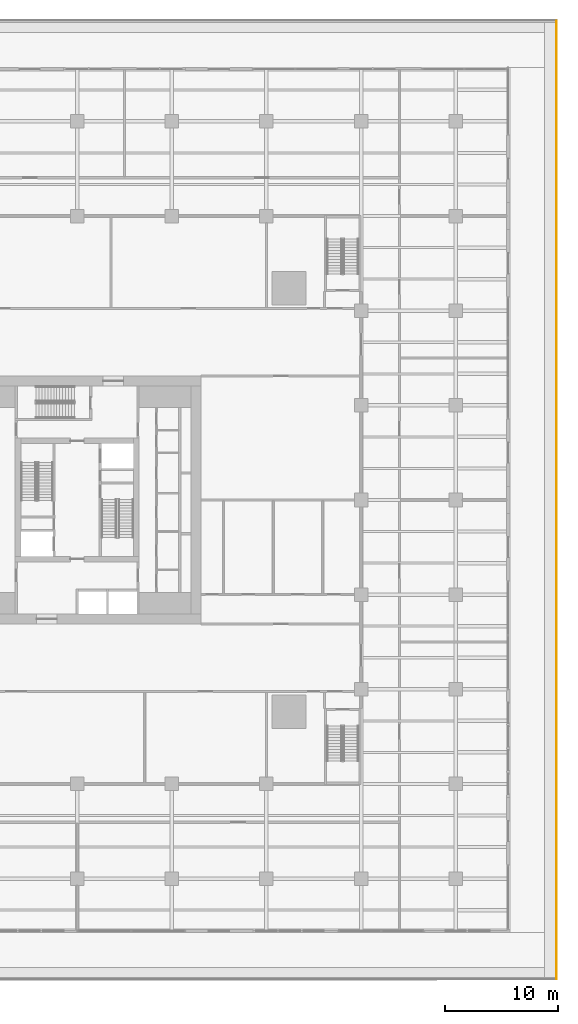
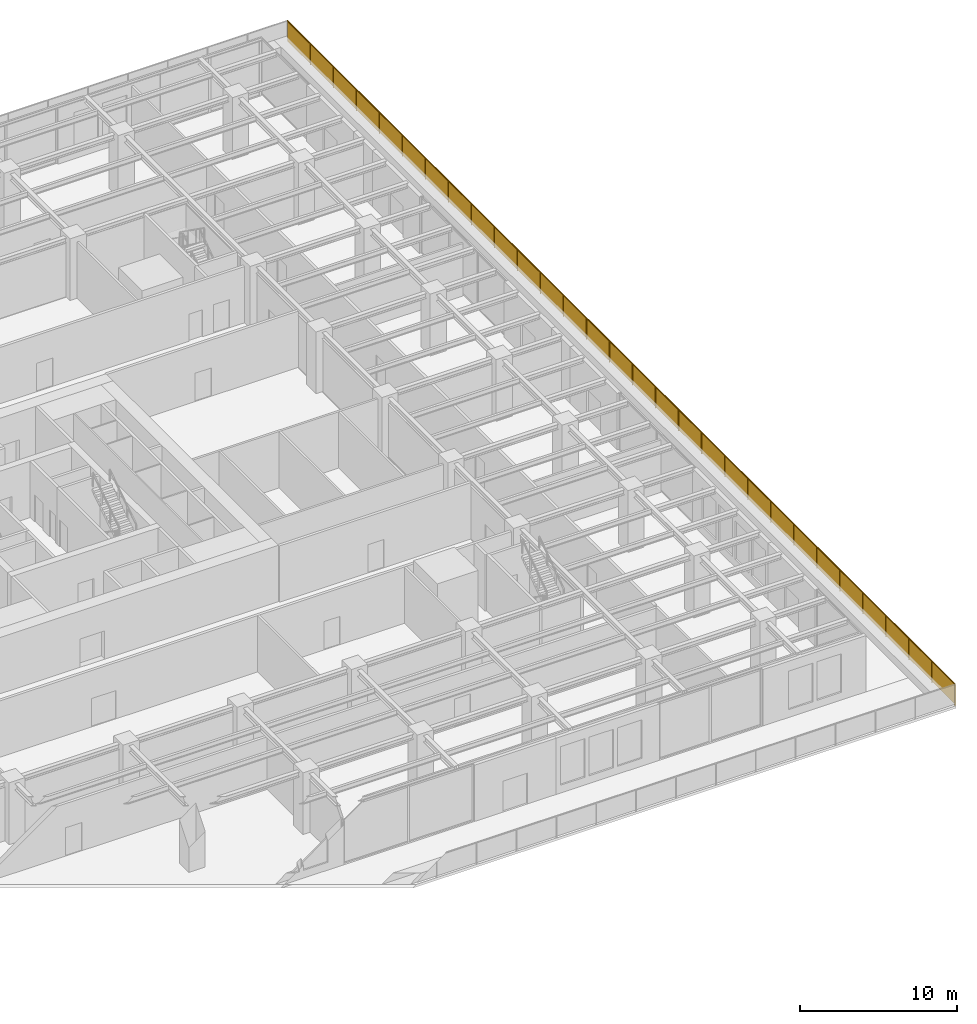
# One storey, part 28 of 32: 1 railing.
"""IFC4 building model written with IfcOpenShell, lengths in metres."""

from ifc_helpers import new_model, si_unit, direction, frame, origin, origin_2d, place, context, subcontext, project, spatial, rectangle, extrude, material, type_object, element, save


model = new_model("IFC4")

# Units and contexts
model_context = context("Model", 3, precision=1e-05, world=origin(), true_north=direction((0.0, 1.0)))
body_context = subcontext(model_context, "Body", "Model", "MODEL_VIEW")
ifc_project = project(units=[si_unit("LENGTHUNIT", "METRE"), si_unit("AREAUNIT", "SQUARE_METRE"), si_unit("VOLUMEUNIT", "CUBIC_METRE"), si_unit("PLANEANGLEUNIT", "RADIAN"), si_unit("MASSUNIT", "GRAM", prefix="KILO")], contexts=[model_context])

# Site, building, storey
site_placement = place(None, origin())
site = spatial("IfcSite", under=ifc_project, at=site_placement, CompositionType="ELEMENT")
building_placement = place(site_placement, origin())
building = spatial("IfcBuilding", under=site, at=building_placement, Name="Khepri Terraces", CompositionType="ELEMENT")
storey_placement = place(building_placement, frame((0.0, 0.0, 12.0)))
storey = spatial("IfcBuildingStorey", under=building, at=storey_placement, Name="L02", CompositionType="ELEMENT", Elevation=12.0)

# Railing
ifc_material = material(Name="Stainless steel grade 316", Category="steel")
railing_type = type_object("IfcRailingType", Name="GRD-TERR-1700", PredefinedType="GUARDRAIL", material=ifc_material)
railing_placement = place(storey_placement, frame((42.550048828125, 42.550048828125, 0.0)))
element("IfcRailing", 1, at=railing_placement, inside=storey, type_object=railing_type, Name="Terrace guard L02", PredefinedType="GUARDRAIL", context=body_context, shape_type="SweptSolid", body=[
    extrude(rectangle(XDim=0.050048828125, YDim=0.06005859375, at=origin_2d()), frame((0.0, 0.0, 1.669921875), z_axis=(0.0, -1.0, 0.0), x_axis=(1.0, 0.0, 0.0)), (0.0, 0.0, 1.0), 85.10009765625),
    extrude(rectangle(XDim=2.884521484375, YDim=0.011962890625, at=origin_2d()), frame((0.0, -1.46728515625, 0.10009765625), z_axis=(0.0, 0.0, 1.0), x_axis=(0.0, -1.0, 0.0)), (0.0, 0.0, 1.0), 1.539794921875),
    extrude(rectangle(XDim=2.884521484375, YDim=0.011962890625, at=origin_2d()), frame((0.0, -4.401611328125, 0.10009765625), z_axis=(0.0, 0.0, 1.0), x_axis=(0.0, -1.0, 0.0)), (0.0, 0.0, 1.0), 1.539794921875),
    extrude(rectangle(XDim=2.884521484375, YDim=0.011962890625, at=origin_2d()), frame((0.0, -7.336181640625, 0.10009765625), z_axis=(0.0, 0.0, 1.0), x_axis=(0.0, -1.0, 0.0)), (0.0, 0.0, 1.0), 1.539794921875),
    extrude(rectangle(XDim=2.884521484375, YDim=0.011962890625, at=origin_2d()), frame((0.0, -10.270751953125, 0.10009765625), z_axis=(0.0, 0.0, 1.0), x_axis=(0.0, -1.0, 0.0)), (0.0, 0.0, 1.0), 1.539794921875),
    extrude(rectangle(XDim=2.884521484375, YDim=0.011962890625, at=origin_2d()), frame((0.0, -13.205078125, 0.10009765625), z_axis=(0.0, 0.0, 1.0), x_axis=(0.0, -1.0, 0.0)), (0.0, 0.0, 1.0), 1.539794921875),
    extrude(rectangle(XDim=2.884521484375, YDim=0.011962890625, at=origin_2d()), frame((0.0, -16.1396484375, 0.10009765625), z_axis=(0.0, 0.0, 1.0), x_axis=(0.0, -1.0, 0.0)), (0.0, 0.0, 1.0), 1.539794921875),
    extrude(rectangle(XDim=2.884521484375, YDim=0.011962890625, at=origin_2d()), frame((0.0, -19.07421875, 0.10009765625), z_axis=(0.0, 0.0, 1.0), x_axis=(0.0, -1.0, 0.0)), (0.0, 0.0, 1.0), 1.539794921875),
    extrude(rectangle(XDim=2.884521484375, YDim=0.011962890625, at=origin_2d()), frame((0.0, -22.008544921875, 0.10009765625), z_axis=(0.0, 0.0, 1.0), x_axis=(0.0, -1.0, 0.0)), (0.0, 0.0, 1.0), 1.539794921875),
    extrude(rectangle(XDim=2.884521484375, YDim=0.011962890625, at=origin_2d()), frame((0.0, -24.943115234375, 0.10009765625), z_axis=(0.0, 0.0, 1.0), x_axis=(0.0, -1.0, 0.0)), (0.0, 0.0, 1.0), 1.539794921875),
    extrude(rectangle(XDim=2.884521484375, YDim=0.011962890625, at=origin_2d()), frame((0.0, -27.877685546875, 0.10009765625), z_axis=(0.0, 0.0, 1.0), x_axis=(0.0, -1.0, 0.0)), (0.0, 0.0, 1.0), 1.539794921875),
    extrude(rectangle(XDim=2.884521484375, YDim=0.011962890625, at=origin_2d()), frame((0.0, -30.81201171875, 0.10009765625), z_axis=(0.0, 0.0, 1.0), x_axis=(0.0, -1.0, 0.0)), (0.0, 0.0, 1.0), 1.539794921875),
    extrude(rectangle(XDim=2.884521484375, YDim=0.011962890625, at=origin_2d()), frame((0.0, -33.74658203125, 0.10009765625), z_axis=(0.0, 0.0, 1.0), x_axis=(0.0, -1.0, 0.0)), (0.0, 0.0, 1.0), 1.539794921875),
    extrude(rectangle(XDim=2.884521484375, YDim=0.011962890625, at=origin_2d()), frame((0.0, -36.68115234375, 0.10009765625), z_axis=(0.0, 0.0, 1.0), x_axis=(0.0, -1.0, 0.0)), (0.0, 0.0, 1.0), 1.539794921875),
    extrude(rectangle(XDim=2.884521484375, YDim=0.011962890625, at=origin_2d()), frame((0.0, -39.615478515625, 0.10009765625), z_axis=(0.0, 0.0, 1.0), x_axis=(0.0, -1.0, 0.0)), (0.0, 0.0, 1.0), 1.539794921875),
    extrude(rectangle(XDim=2.884521484375, YDim=0.011962890625, at=origin_2d()), frame((0.0, -42.550048828125, 0.10009765625), z_axis=(0.0, 0.0, 1.0), x_axis=(0.0, -1.0, 0.0)), (0.0, 0.0, 1.0), 1.539794921875),
    extrude(rectangle(XDim=2.884521484375, YDim=0.011962890625, at=origin_2d()), frame((0.0, -45.484619140625, 0.10009765625), z_axis=(0.0, 0.0, 1.0), x_axis=(0.0, -1.0, 0.0)), (0.0, 0.0, 1.0), 1.539794921875),
    extrude(rectangle(XDim=2.884521484375, YDim=0.011962890625, at=origin_2d()), frame((0.0, -48.4189453125, 0.10009765625), z_axis=(0.0, 0.0, 1.0), x_axis=(0.0, -1.0, 0.0)), (0.0, 0.0, 1.0), 1.539794921875),
    extrude(rectangle(XDim=2.884521484375, YDim=0.011962890625, at=origin_2d()), frame((0.0, -51.353515625, 0.10009765625), z_axis=(0.0, 0.0, 1.0), x_axis=(0.0, -1.0, 0.0)), (0.0, 0.0, 1.0), 1.539794921875),
    extrude(rectangle(XDim=2.884521484375, YDim=0.011962890625, at=origin_2d()), frame((0.0, -54.2880859375, 0.10009765625), z_axis=(0.0, 0.0, 1.0), x_axis=(0.0, -1.0, 0.0)), (0.0, 0.0, 1.0), 1.539794921875),
    extrude(rectangle(XDim=2.884521484375, YDim=0.011962890625, at=origin_2d()), frame((0.0, -57.222412109375, 0.10009765625), z_axis=(0.0, 0.0, 1.0), x_axis=(0.0, -1.0, 0.0)), (0.0, 0.0, 1.0), 1.539794921875),
    extrude(rectangle(XDim=2.884521484375, YDim=0.011962890625, at=origin_2d()), frame((0.0, -60.156982421875, 0.10009765625), z_axis=(0.0, 0.0, 1.0), x_axis=(0.0, -1.0, 0.0)), (0.0, 0.0, 1.0), 1.539794921875),
    extrude(rectangle(XDim=2.884521484375, YDim=0.011962890625, at=origin_2d()), frame((0.0, -63.091552734375, 0.10009765625), z_axis=(0.0, 0.0, 1.0), x_axis=(0.0, -1.0, 0.0)), (0.0, 0.0, 1.0), 1.539794921875),
    extrude(rectangle(XDim=2.884521484375, YDim=0.011962890625, at=origin_2d()), frame((0.0, -66.02587890625, 0.10009765625), z_axis=(0.0, 0.0, 1.0), x_axis=(0.0, -1.0, 0.0)), (0.0, 0.0, 1.0), 1.539794921875),
    extrude(rectangle(XDim=2.884521484375, YDim=0.011962890625, at=origin_2d()), frame((0.0, -68.96044921875, 0.10009765625), z_axis=(0.0, 0.0, 1.0), x_axis=(0.0, -1.0, 0.0)), (0.0, 0.0, 1.0), 1.539794921875),
    extrude(rectangle(XDim=2.884521484375, YDim=0.011962890625, at=origin_2d()), frame((0.0, -71.89501953125, 0.10009765625), z_axis=(0.0, 0.0, 1.0), x_axis=(0.0, -1.0, 0.0)), (0.0, 0.0, 1.0), 1.539794921875),
    extrude(rectangle(XDim=2.884521484375, YDim=0.011962890625, at=origin_2d()), frame((0.0, -74.829345703125, 0.10009765625), z_axis=(0.0, 0.0, 1.0), x_axis=(0.0, -1.0, 0.0)), (0.0, 0.0, 1.0), 1.539794921875),
    extrude(rectangle(XDim=2.884521484375, YDim=0.011962890625, at=origin_2d()), frame((0.0, -77.763916015625, 0.10009765625), z_axis=(0.0, 0.0, 1.0), x_axis=(0.0, -1.0, 0.0)), (0.0, 0.0, 1.0), 1.539794921875),
    extrude(rectangle(XDim=2.884521484375, YDim=0.011962890625, at=origin_2d()), frame((0.0, -80.698486328125, 0.10009765625), z_axis=(0.0, 0.0, 1.0), x_axis=(0.0, -1.0, 0.0)), (0.0, 0.0, 1.0), 1.539794921875),
    extrude(rectangle(XDim=2.884521484375, YDim=0.011962890625, at=origin_2d()), frame((0.0, -83.6328125, 0.10009765625), z_axis=(0.0, 0.0, 1.0), x_axis=(0.0, -1.0, 0.0)), (0.0, 0.0, 1.0), 1.539794921875),
    extrude(rectangle(XDim=0.050048828125, YDim=0.050048828125, at=origin_2d()), frame((0.0, -2.9345703125, 0.0)), (0.0, 0.0, 1.0), 1.639892578125),
    extrude(rectangle(XDim=0.050048828125, YDim=0.050048828125, at=origin_2d()), frame((0.0, -5.868896484375, 0.0)), (0.0, 0.0, 1.0), 1.639892578125),
    extrude(rectangle(XDim=0.050048828125, YDim=0.050048828125, at=origin_2d()), frame((0.0, -8.803466796875, 0.0)), (0.0, 0.0, 1.0), 1.639892578125),
    extrude(rectangle(XDim=0.050048828125, YDim=0.050048828125, at=origin_2d()), frame((0.0, -11.738037109375, 0.0)), (0.0, 0.0, 1.0), 1.639892578125),
    extrude(rectangle(XDim=0.050048828125, YDim=0.050048828125, at=origin_2d()), frame((0.0, -14.67236328125, 0.0)), (0.0, 0.0, 1.0), 1.639892578125),
    extrude(rectangle(XDim=0.050048828125, YDim=0.050048828125, at=origin_2d()), frame((0.0, -17.60693359375, 0.0)), (0.0, 0.0, 1.0), 1.639892578125),
    extrude(rectangle(XDim=0.050048828125, YDim=0.050048828125, at=origin_2d()), frame((0.0, -20.54150390625, 0.0)), (0.0, 0.0, 1.0), 1.639892578125),
    extrude(rectangle(XDim=0.050048828125, YDim=0.050048828125, at=origin_2d()), frame((0.0, -23.475830078125, 0.0)), (0.0, 0.0, 1.0), 1.639892578125),
    extrude(rectangle(XDim=0.050048828125, YDim=0.050048828125, at=origin_2d()), frame((0.0, -26.410400390625, 0.0)), (0.0, 0.0, 1.0), 1.639892578125),
    extrude(rectangle(XDim=0.050048828125, YDim=0.050048828125, at=origin_2d()), frame((0.0, -29.344970703125, 0.0)), (0.0, 0.0, 1.0), 1.639892578125),
    extrude(rectangle(XDim=0.050048828125, YDim=0.050048828125, at=origin_2d()), frame((0.0, -32.279296875, 0.0)), (0.0, 0.0, 1.0), 1.639892578125),
    extrude(rectangle(XDim=0.050048828125, YDim=0.050048828125, at=origin_2d()), frame((0.0, -35.2138671875, 0.0)), (0.0, 0.0, 1.0), 1.639892578125),
    extrude(rectangle(XDim=0.050048828125, YDim=0.050048828125, at=origin_2d()), frame((0.0, -38.1484375, 0.0)), (0.0, 0.0, 1.0), 1.639892578125),
    extrude(rectangle(XDim=0.050048828125, YDim=0.050048828125, at=origin_2d()), frame((0.0, -41.082763671875, 0.0)), (0.0, 0.0, 1.0), 1.639892578125),
    extrude(rectangle(XDim=0.050048828125, YDim=0.050048828125, at=origin_2d()), frame((0.0, -44.017333984375, 0.0)), (0.0, 0.0, 1.0), 1.639892578125),
    extrude(rectangle(XDim=0.050048828125, YDim=0.050048828125, at=origin_2d()), frame((0.0, -46.95166015625, 0.0)), (0.0, 0.0, 1.0), 1.639892578125),
    extrude(rectangle(XDim=0.050048828125, YDim=0.050048828125, at=origin_2d()), frame((0.0, -49.88623046875, 0.0)), (0.0, 0.0, 1.0), 1.639892578125),
    extrude(rectangle(XDim=0.050048828125, YDim=0.050048828125, at=origin_2d()), frame((0.0, -52.82080078125, 0.0)), (0.0, 0.0, 1.0), 1.639892578125),
    extrude(rectangle(XDim=0.050048828125, YDim=0.050048828125, at=origin_2d()), frame((0.0, -55.755126953125, 0.0)), (0.0, 0.0, 1.0), 1.639892578125),
    extrude(rectangle(XDim=0.050048828125, YDim=0.050048828125, at=origin_2d()), frame((0.0, -58.689697265625, 0.0)), (0.0, 0.0, 1.0), 1.639892578125),
    extrude(rectangle(XDim=0.050048828125, YDim=0.050048828125, at=origin_2d()), frame((0.0, -61.624267578125, 0.0)), (0.0, 0.0, 1.0), 1.639892578125),
    extrude(rectangle(XDim=0.050048828125, YDim=0.050048828125, at=origin_2d()), frame((0.0, -64.55859375, 0.0)), (0.0, 0.0, 1.0), 1.639892578125),
    extrude(rectangle(XDim=0.050048828125, YDim=0.050048828125, at=origin_2d()), frame((0.0, -67.4931640625, 0.0)), (0.0, 0.0, 1.0), 1.639892578125),
    extrude(rectangle(XDim=0.050048828125, YDim=0.050048828125, at=origin_2d()), frame((0.0, -70.427734375, 0.0)), (0.0, 0.0, 1.0), 1.639892578125),
    extrude(rectangle(XDim=0.050048828125, YDim=0.050048828125, at=origin_2d()), frame((0.0, -73.362060546875, 0.0)), (0.0, 0.0, 1.0), 1.639892578125),
    extrude(rectangle(XDim=0.050048828125, YDim=0.050048828125, at=origin_2d()), frame((0.0, -76.296630859375, 0.0)), (0.0, 0.0, 1.0), 1.639892578125),
    extrude(rectangle(XDim=0.050048828125, YDim=0.050048828125, at=origin_2d()), frame((0.0, -79.231201171875, 0.0)), (0.0, 0.0, 1.0), 1.639892578125),
    extrude(rectangle(XDim=0.050048828125, YDim=0.050048828125, at=origin_2d()), frame((0.0, -82.16552734375, 0.0)), (0.0, 0.0, 1.0), 1.639892578125),
    extrude(rectangle(XDim=0.050048828125, YDim=0.050048828125, at=origin_2d()), frame((0.0, -85.10009765625, 0.0)), (0.0, 0.0, 1.0), 1.639892578125),
])

save(model, "model.ifc")
